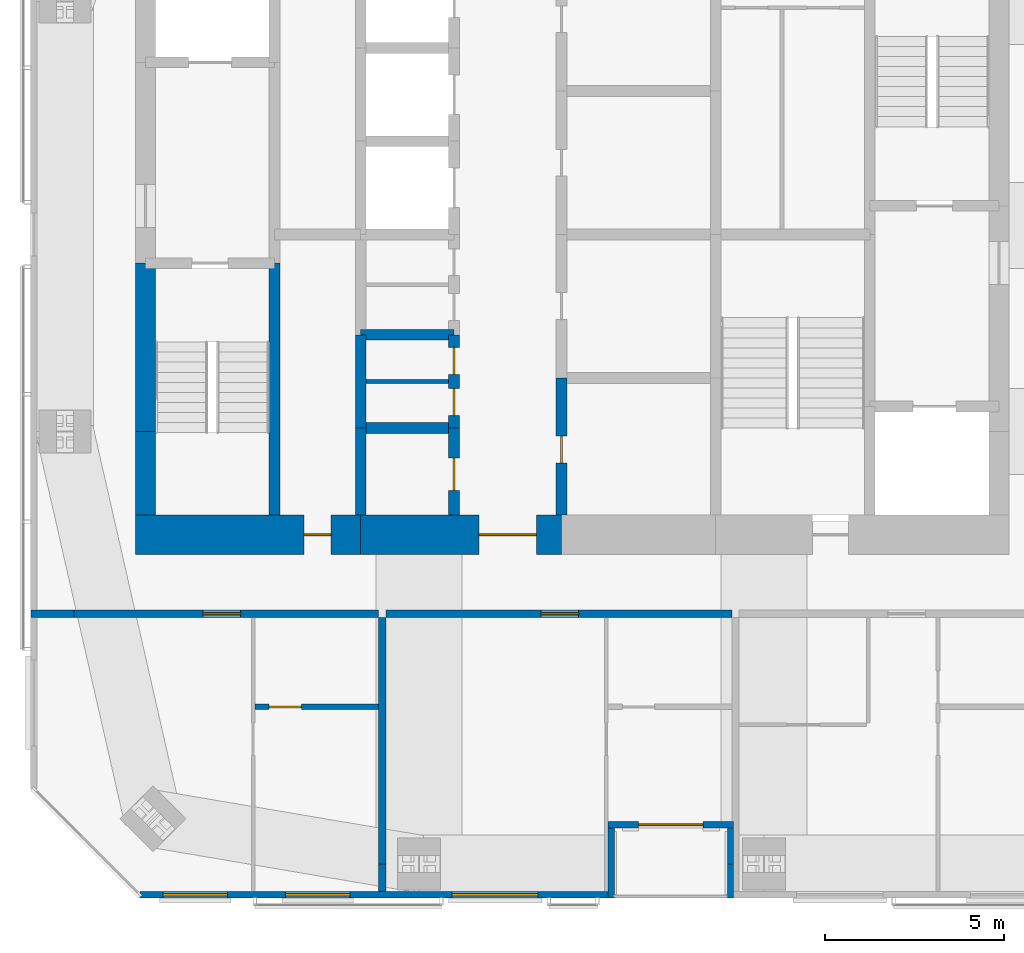
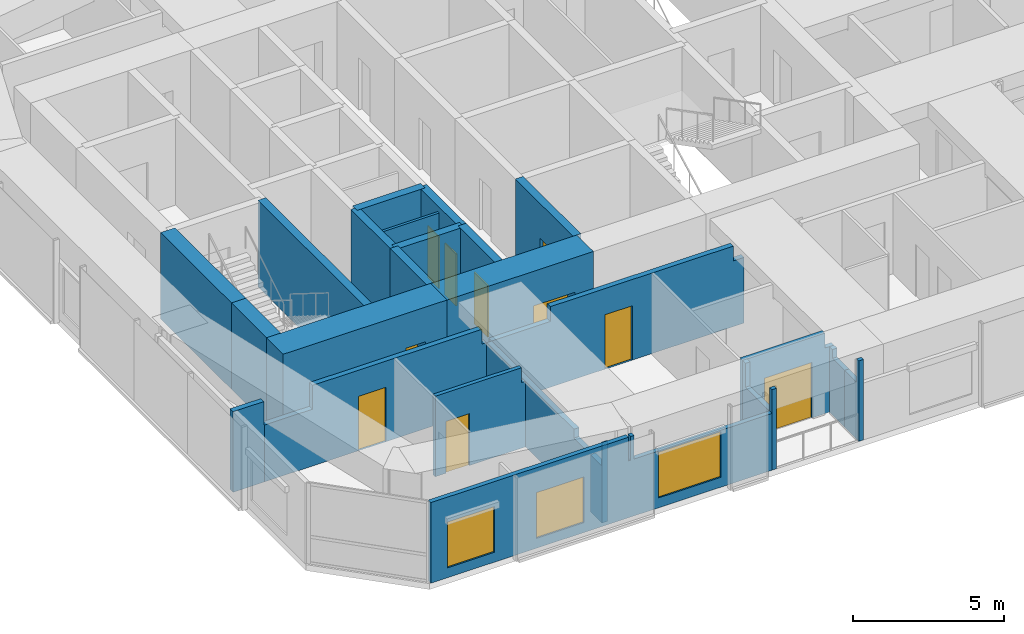
# One storey, part 14 of 20: 24 walls, 10 doors, 3 windows, 13 openings.
"""IFC4 building model written with IfcOpenShell, lengths in metres."""

import ifcopenshell
import ifcopenshell.guid

model = None  # the IFC model being written
_history = None  # IfcOwnerHistory: only IFC2X3 demands one
_inside = {}  # id of a spatial element -> (the spatial element, [elements in it])
_under = {}  # id of a project, library or spatial element -> (it, [spatial elements below it])
_declared = {}  # id of a project -> (the project, [libraries it declares])
_typed = {}  # id of a type object -> (the type object, [elements of that type])
_made_of = {}  # id of a material, layer set ... -> (it, [elements and type objects made of it])


def new_model(schema):
    """Start an empty IFC model of exactly this schema.

    Asked for "IFC4X3", IfcOpenShell would pick the latest addendum, in which some entities
    have other attributes; the version numbers below select the first issue.
    IFC2X3 requires an IfcOwnerHistory on every rooted entity: one is made here for all.
    """
    global model, _history
    if schema == "IFC4X3":
        model = ifcopenshell.file(schema_version=(4, 3, 0, 0))
    else:
        model = ifcopenshell.file(schema=schema)
    _inside.clear()
    _under.clear()
    _declared.clear()
    _typed.clear()
    _made_of.clear()
    _history = None
    if model.schema == "IFC2X3":
        org = make("IfcOrganization", Name="unknown")
        user = make(
            "IfcPersonAndOrganization",
            ThePerson=make("IfcPerson", FamilyName="unknown"),
            TheOrganization=org,
        )
        app = make(
            "IfcApplication",
            ApplicationDeveloper=org,
            Version="unknown",
            ApplicationFullName="unknown",
            ApplicationIdentifier="unknown",
        )
        _history = make(
            "IfcOwnerHistory",
            OwningUser=user,
            OwningApplication=app,
            ChangeAction="ADDED",
            CreationDate=0,
        )
    return model


def make(cls, **values):
    """One entity of the class cls with the attributes given. An attribute that is None is left unset."""
    return model.create_entity(
        cls, **{name: value for name, value in values.items() if value is not None}
    )


def rooted(cls, **values):
    """An entity with a GlobalId (a new one), such as an element, a storey or a relation."""
    return make(cls, GlobalId=ifcopenshell.guid.new(), OwnerHistory=_history, **values)


def si_unit(unit_type, name, prefix=None):
    """IfcSIUnit, for example si_unit("LENGTHUNIT", "METRE", prefix="MILLI")."""
    return make("IfcSIUnit", UnitType=unit_type, Prefix=prefix, Name=name)


def assignment(units):
    """IfcUnitAssignment: the units of a project."""
    return None if units is None else make("IfcUnitAssignment", Units=units)


def point(xyz):
    """IfcCartesianPoint."""
    return None if xyz is None else make("IfcCartesianPoint", Coordinates=xyz)


def direction(xyz):
    """IfcDirection."""
    return None if xyz is None else make("IfcDirection", DirectionRatios=xyz)


def frame(location, z_axis=None, x_axis=None):
    """IfcAxis2Placement3D, a coordinate frame: its origin and axes. An axis left out is left unset."""
    return make(
        "IfcAxis2Placement3D",
        Location=point(location),
        Axis=direction(z_axis),
        RefDirection=direction(x_axis),
    )


def frame_2d(location, x_axis=None):
    """IfcAxis2Placement2D, a coordinate frame in the plane: its origin and x axis."""
    return make(
        "IfcAxis2Placement2D", Location=point(location), RefDirection=direction(x_axis)
    )


def origin():
    """The frame at (0, 0, 0) with its axes left unset."""
    return frame((0.0, 0.0, 0.0))


def place(relative_to, where):
    """IfcLocalPlacement: puts the frame where relative to a parent placement (None: the world)."""
    return make(
        "IfcLocalPlacement", PlacementRelTo=relative_to, RelativePlacement=where
    )


def context(
    kind, dimensions, precision=None, world=None, true_north=None, identifier=None
):
    """IfcGeometricRepresentationContext, for example the 3D "Model" context."""
    return make(
        "IfcGeometricRepresentationContext",
        ContextIdentifier=identifier,
        ContextType=kind,
        CoordinateSpaceDimension=dimensions,
        Precision=precision,
        WorldCoordinateSystem=world,
        TrueNorth=true_north,
    )


def subcontext(parent, identifier, kind, view, scale=None):
    """IfcGeometricRepresentationSubContext, for example "Body" below "Model"."""
    return make(
        "IfcGeometricRepresentationSubContext",
        ContextIdentifier=identifier,
        ContextType=kind,
        ParentContext=parent,
        TargetScale=scale,
        TargetView=view,
    )


def project(units=None, contexts=None):
    """IfcProject with its units and contexts."""
    return rooted(
        "IfcProject",
        Name="project",
        RepresentationContexts=contexts,
        UnitsInContext=assignment(units),
    )


def spatial(cls, under=None, at=None, **own):
    """A site, building, storey or space (cls), placed at a placement, below another one or the project."""
    s = rooted(cls, ObjectPlacement=at, **own)
    if under is not None:
        _under.setdefault(under.id(), (under, []))[1].append(s)
    return s


def polyline(points):
    """IfcPolyline through the points."""
    return make("IfcPolyline", Points=[point(p) for p in points])


def profile(cls, at=None, kind="AREA", **sizes):
    """A parametric profile (cls). Its sizes go by their IFC names, for example OverallWidth=200.0."""
    return make(cls, ProfileType=kind, Position=at, **sizes)


def rectangle(**sizes):
    """IfcRectangleProfileDef."""
    return profile("IfcRectangleProfileDef", **sizes)


def outline(outer, holes=None, kind="AREA"):
    """IfcArbitraryClosedProfileDef: a profile drawn as a closed curve; with holes, ...WithVoids."""
    if holes is None:
        return make("IfcArbitraryClosedProfileDef", ProfileType=kind, OuterCurve=outer)
    return make(
        "IfcArbitraryProfileDefWithVoids",
        ProfileType=kind,
        OuterCurve=outer,
        InnerCurves=holes,
    )


def extrude(swept, where, along, depth):
    """IfcExtrudedAreaSolid: the profile swept, set in the frame where, extruded along a direction by depth."""
    return make(
        "IfcExtrudedAreaSolid",
        SweptArea=swept,
        Position=where,
        ExtrudedDirection=direction(along),
        Depth=depth,
    )


def shape(context_of_items, identifier, shape_type, items):
    """IfcShapeRepresentation: the items that make up one representation, for example the "Body"."""
    return make(
        "IfcShapeRepresentation",
        ContextOfItems=context_of_items,
        RepresentationIdentifier=identifier,
        RepresentationType=shape_type,
        Items=items,
    )


def material(Name=None, Category=None):
    """IfcMaterial."""
    return make("IfcMaterial", Name=Name, Category=Category)


def layer(
    of_material, thickness, ventilated=None, Name=None, Category=None, Priority=None
):
    """IfcMaterialLayer: one layer of a wall or slab, of a material (None: an air gap)."""
    return make(
        "IfcMaterialLayer",
        Material=of_material,
        LayerThickness=thickness,
        IsVentilated=ventilated,
        Name=Name,
        Category=Category,
        Priority=Priority,
    )


def layer_set(layers, Name=None):
    """IfcMaterialLayerSet."""
    return make("IfcMaterialLayerSet", MaterialLayers=layers, LayerSetName=Name)


def constituent(of_material, Name=None, Category=None, fraction=None):
    """IfcMaterialConstituent: one of the materials an element consists of."""
    return make(
        "IfcMaterialConstituent",
        Name=Name,
        Material=of_material,
        Fraction=fraction,
        Category=Category,
    )


def constituent_set(constituents=None, Name=None):
    """IfcMaterialConstituentSet."""
    return make(
        "IfcMaterialConstituentSet", Name=Name, MaterialConstituents=constituents
    )


def made_of(thing, what):
    """Note that an element or type object is made of a material, layer set ...; save() writes the relation."""
    if what is not None:
        _made_of.setdefault(what.id(), (what, []))[1].append(thing)
    return thing


def type_object(cls, material=None, **own):
    """A type object (cls), such as IfcWallType, which elements share."""
    return made_of(rooted(cls, **own), material)


def element(
    cls,
    number,
    at=None,
    inside=None,
    cuts=None,
    type_object=None,
    material=None,
    context=None,
    identifier="Body",
    shape_type=None,
    held_by="IfcProductDefinitionShape",
    body=None,
    shapes=None,
    **own,
):
    """One element of the class cls, such as IfcWall. Its Tag is "e" and its number.

    at: its placement. inside: the storey or other place that contains it. cuts: it is an
    opening in that element (IfcRelVoidsElement). A single representation is given by context,
    identifier, shape_type and body (its items); several are given by shapes. held_by: the class
    of the entity that holds the representations. save() writes the other relations.
    """
    e = rooted(cls, Tag="e%d" % number, ObjectPlacement=at, **own)
    if body is not None:
        shapes = [shape(context, identifier, shape_type, body)]
    if shapes is not None:
        e.Representation = make(held_by, Representations=shapes)
    if inside is not None:
        _inside.setdefault(inside.id(), (inside, []))[1].append(e)
    if cuts is not None:
        rooted(
            "IfcRelVoidsElement", RelatingBuildingElement=cuts, RelatedOpeningElement=e
        )
    if type_object is not None:
        _typed.setdefault(type_object.id(), (type_object, []))[1].append(e)
    return made_of(e, material)


def fill(opening, filler):
    """IfcRelFillsElement: the door or window that sits in an opening."""
    return rooted(
        "IfcRelFillsElement",
        RelatingOpeningElement=opening,
        RelatedBuildingElement=filler,
    )


def aggregate(whole, parts):
    """IfcRelAggregates: a whole, such as a stair, and the parts it consists of."""
    return rooted("IfcRelAggregates", RelatingObject=whole, RelatedObjects=parts)


def save(model, path):
    """Write the relations noted so far, then the file.

    IfcRelAggregates (storeys below a building ...), IfcRelContainedInSpatialStructure (elements
    in a storey), IfcRelDefinesByType, IfcRelAssociatesMaterial and IfcRelDeclares: one each for
    every whole, place, type object, material and project.
    """
    for whole, parts in _under.values():
        aggregate(whole, parts)
    for where, things in _inside.values():
        rooted(
            "IfcRelContainedInSpatialStructure",
            RelatedElements=things,
            RelatingStructure=where,
        )
    for kind, things in _typed.values():
        rooted("IfcRelDefinesByType", RelatedObjects=things, RelatingType=kind)
    for what, things in _made_of.values():
        rooted("IfcRelAssociatesMaterial", RelatedObjects=things, RelatingMaterial=what)
    for by, libraries in _declared.values():
        rooted("IfcRelDeclares", RelatingContext=by, RelatedDefinitions=libraries)
    model.write(path)


model = new_model("IFC4")

# Units and contexts
model_context = context("Model", 3, precision=1e-05, world=origin(), true_north=direction((0.0, 1.0)))
body_context = subcontext(model_context, "Body", "Model", "MODEL_VIEW")
ifc_project = project(units=[si_unit("LENGTHUNIT", "METRE"), si_unit("AREAUNIT", "SQUARE_METRE"), si_unit("VOLUMEUNIT", "CUBIC_METRE"), si_unit("PLANEANGLEUNIT", "RADIAN"), si_unit("MASSUNIT", "GRAM", prefix="KILO")], contexts=[model_context])

# Site, building, storey
site_placement = place(None, origin())
site = spatial("IfcSite", under=ifc_project, at=site_placement, CompositionType="ELEMENT")
building_placement = place(site_placement, origin())
building = spatial("IfcBuilding", under=site, at=building_placement, Name="Jalousie Tower", CompositionType="ELEMENT")
storey_placement = place(building_placement, frame((0.0, 0.0, 238.949951171875)))
storey = spatial("IfcBuildingStorey", under=building, at=storey_placement, Name="L65", CompositionType="ELEMENT", Elevation=238.949951171875)

# Wall, opening, door
ifc_material_1 = material(Name="Concrete block ASTM C90", Category="concrete")
ifc_constituent_1 = constituent(ifc_material_1, Name="Body")
ifc_material_2 = material(Name="Render")
ifc_constituent_2 = constituent(ifc_material_2, Name="Finish")
ifc_constituent_set_1 = constituent_set(constituents=[ifc_constituent_1, ifc_constituent_2])
wall_type_1 = type_object("IfcWallType", Name="BATHROOM WALL 150", PredefinedType="PLUMBINGWALL", material=ifc_constituent_set_1)
wall_1_placement = place(storey_placement, frame((23.050048828125, 5.324951171875, 0.0), z_axis=(0.0, 0.0, 1.0), x_axis=(1.0, 0.0, 0.0)))
wall_1 = element("IfcWall", 1, at=wall_1_placement, inside=storey, type_object=wall_type_1, Name="Bathroom Wall 150 L65", PredefinedType="PLUMBINGWALL", context=body_context, shape_type="SweptSolid", body=[
    extrude(outline(polyline([(0.0, 0.0), (3.449951171875, 0.0), (3.449951171875, 3.260009765625), (3.449951171875, 2.66015625), (3.2900390625, 2.66015625), (3.2900390625, 3.260009765625), (0.0, 3.260009765625), (0.0, 0.0)])), frame((0.0, 0.074951171875, 0.0), z_axis=(0.0, -1.0, 0.0), x_axis=(1.0, 0.0, 0.0)), (0.0, 0.0, 1.0), 0.14990234375),
])
opening_1_placement = place(wall_1_placement, frame((0.39990234375, 0.0, 0.0)))
opening_1 = element("IfcOpeningElement", 2, at=opening_1_placement, cuts=wall_1, Name="Opening D3", PredefinedType="OPENING", context=body_context, shape_type="SweptSolid", body=[
    extrude(rectangle(XDim=0.89990234375, YDim=2.10009765625, at=frame_2d((0.449951171875, 1.050048828125))), frame((0.0, 0.0849609375, 0.0), z_axis=(0.0, -1.0, 0.0), x_axis=(1.0, 0.0, 0.0)), (0.0, 0.0, 1.0), 0.169921875),
])
ifc_material_3 = material(Name="Timber door", Category="wood")
door_type_1 = type_object("IfcDoorType", Name="BATHROOM DOOR 900", OperationType="SINGLE_SWING_LEFT", PredefinedType="DOOR", material=ifc_material_3)
door_1_placement = place(opening_1_placement, origin())
door_1 = element("IfcDoor", 3, at=door_1_placement, inside=storey, type_object=door_type_1, Name="Apartment 6501 bedroom 1 bathroom door", OperationType="SINGLE_SWING_LEFT", OverallHeight=2.10009765625, OverallWidth=0.89990234375, PredefinedType="DOOR", context=body_context, shape_type="SweptSolid", body=[
    extrude(rectangle(XDim=0.89990234375, YDim=2.10009765625, at=frame_2d((0.449951171875, 1.050048828125))), frame((0.0, 0.02490234375, 0.0), z_axis=(0.0, -1.0, 0.0), x_axis=(1.0, 0.0, 0.0)), (0.0, 0.0, 1.0), 0.050048828125),
])
fill(opening_1, door_1)

ifc_material_4 = material(Name="Concrete f'c 120 MPa", Category="concrete")
ifc_layer_1 = layer(ifc_material_4, 1.10009765625)
ifc_layer_set_1 = layer_set([ifc_layer_1], Name="Concrete f'c 120 MPa")
wall_type_2 = type_object("IfcWallType", Name="CORE WALL 1100", PredefinedType="SHEAR", material=ifc_layer_set_1)
wall_2_placement = place(storey_placement, frame((19.72509765625, 10.125, 0.0), z_axis=(0.0, 0.0, 1.0), x_axis=(1.0, 0.0, 0.0)))
wall_2 = element("IfcWall", 4, at=wall_2_placement, inside=storey, type_object=wall_type_2, Name="Core wall SA L65", PredefinedType="SHEAR", context=body_context, shape_type="SweptSolid", body=[
    extrude(rectangle(XDim=6.27490234375, YDim=1.10009765625, at=frame_2d((3.137451171875, 0.0))), origin(), (0.0, 0.0, 1.0), 3.5),
])
opening_2_placement = place(wall_2_placement, frame((4.699951171875, 0.0, 0.0)))
opening_2 = element("IfcOpeningElement", 5, at=opening_2_placement, cuts=wall_2, Name="Opening D16", PredefinedType="OPENING", context=body_context, shape_type="SweptSolid", body=[
    extrude(rectangle(XDim=0.75, YDim=2.10009765625, at=frame_2d((0.375, 1.050048828125))), frame((0.0, 0.56005859375, 0.0), z_axis=(0.0, -1.0, 0.0), x_axis=(1.0, 0.0, 0.0)), (0.0, 0.0, 1.0), 1.1201171875),
])
ifc_material_5 = material(Name="Steel fire door", Category="steel")
door_type_2 = type_object("IfcDoorType", Name="RISER DOOR 750", OperationType="SINGLE_SWING_LEFT", PredefinedType="DOOR", material=ifc_material_5)
door_2_placement = place(opening_2_placement, origin())
door_2 = element("IfcDoor", 6, at=door_2_placement, inside=storey, type_object=door_type_2, Name="South riser door", OperationType="SINGLE_SWING_RIGHT", OverallHeight=2.10009765625, OverallWidth=0.75, PredefinedType="DOOR", context=body_context, shape_type="SweptSolid", body=[
    extrude(rectangle(XDim=0.75, YDim=2.10009765625, at=frame_2d((0.375, 1.050048828125))), frame((0.0, 0.02490234375, 0.0), z_axis=(0.0, -1.0, 0.0), x_axis=(1.0, 0.0, 0.0)), (0.0, 0.0, 1.0), 0.050048828125),
])
fill(opening_2, door_2)

wall_3_placement = place(storey_placement, frame((26.0, 10.125, 0.0), z_axis=(0.0, 0.0, 1.0), x_axis=(1.0, 0.0, 0.0)))
wall_3 = element("IfcWall", 7, at=wall_3_placement, inside=storey, type_object=wall_type_2, Name="Core wall SB L65", PredefinedType="SHEAR", context=body_context, shape_type="SweptSolid", body=[
    extrude(rectangle(XDim=5.60009765625, YDim=1.10009765625, at=frame_2d((2.800048828125, 0.0))), origin(), (0.0, 0.0, 1.0), 3.5),
])
opening_3_placement = place(wall_3_placement, frame((3.300048828125, 0.0, 0.0)))
opening_3 = element("IfcOpeningElement", 8, at=opening_3_placement, cuts=wall_3, Name="Opening D15", PredefinedType="OPENING", context=body_context, shape_type="SweptSolid", body=[
    extrude(rectangle(XDim=1.60009765625, YDim=2.10009765625, at=frame_2d((0.800048828125, 1.050048828125))), frame((0.0, 0.56005859375, 0.0), z_axis=(0.0, -1.0, 0.0), x_axis=(1.0, 0.0, 0.0)), (0.0, 0.0, 1.0), 1.1201171875),
])
ifc_material_6 = material(Name="Steel fire door", Category="steel")
door_type_3 = type_object("IfcDoorType", Name="LIFT LOBBY DOOR 1600", OperationType="DOUBLE_DOOR_SINGLE_SWING", PredefinedType="DOOR", material=ifc_material_6)
door_3_placement = place(opening_3_placement, origin())
door_3 = element("IfcDoor", 9, at=door_3_placement, inside=storey, type_object=door_type_3, Name="Lift lobby south door", OperationType="DOUBLE_DOOR_SINGLE_SWING", OverallHeight=2.10009765625, OverallWidth=1.60009765625, PredefinedType="DOOR", context=body_context, shape_type="SweptSolid", body=[
    extrude(rectangle(XDim=1.60009765625, YDim=2.10009765625, at=frame_2d((0.800048828125, 1.050048828125))), frame((0.0, 0.02490234375, 0.0), z_axis=(0.0, -1.0, 0.0), x_axis=(1.0, 0.0, 0.0)), (0.0, 0.0, 1.0), 0.050048828125),
])
fill(opening_3, door_3)

# Walls
ifc_material_7 = material(Name="Concrete f'c 120 MPa", Category="concrete")
ifc_layer_2 = layer(ifc_material_7, 0.300048828125)
ifc_layer_set_2 = layer_set([ifc_layer_2], Name="Concrete f'c 120 MPa")
wall_type_3 = type_object("IfcWallType", Name="CORE WALL 300", PredefinedType="SHEAR", material=ifc_layer_set_2)
wall_4_placement = place(storey_placement, frame((23.60009765625, 10.675048828125, 0.0), z_axis=(0.0, 0.0, 1.0), x_axis=(0.0, 1.0, 0.0)))
element("IfcWall", 10, at=wall_4_placement, inside=storey, type_object=wall_type_3, Name="Core wall X23.6A L65", PredefinedType="SHEAR", context=body_context, shape_type="SweptSolid", body=[
    extrude(rectangle(XDim=7.02490234375, YDim=0.300048828125, at=frame_2d((3.512451171875, 0.0))), origin(), (0.0, 0.0, 1.0), 3.5),
])
wall_5_placement = place(storey_placement, frame((26.0, 10.675048828125, 0.0), z_axis=(0.0, 0.0, 1.0), x_axis=(0.0, 1.0, 0.0)))
element("IfcWall", 11, at=wall_5_placement, inside=storey, type_object=wall_type_3, Name="Core wall X26A L65", PredefinedType="SHEAR", context=body_context, shape_type="SweptSolid", body=[
    extrude(rectangle(XDim=2.425048828125, YDim=0.300048828125, at=frame_2d((1.21240234375, 0.0))), origin(), (0.0, 0.0, 1.0), 3.5),
])
wall_6_placement = place(storey_placement, frame((26.0, 13.10009765625, 0.0), z_axis=(0.0, 0.0, 1.0), x_axis=(0.0, 1.0, 0.0)))
element("IfcWall", 12, at=wall_6_placement, inside=storey, type_object=wall_type_3, Name="Core wall X26B L65", PredefinedType="SHEAR", context=body_context, shape_type="SweptSolid", body=[
    extrude(rectangle(XDim=2.599853515625, YDim=0.300048828125, at=frame_2d((1.2998046875, 0.0))), origin(), (0.0, 0.0, 1.0), 3.5),
])

# Wall, opening, door
wall_7_placement = place(storey_placement, frame((28.60009765625, 10.675048828125, 0.0), z_axis=(0.0, 0.0, 1.0), x_axis=(0.0, 1.0, 0.0)))
wall_7 = element("IfcWall", 13, at=wall_7_placement, inside=storey, type_object=wall_type_3, Name="Core wall X28.6A L65", PredefinedType="SHEAR", context=body_context, shape_type="SweptSolid", body=[
    extrude(rectangle(XDim=2.425048828125, YDim=0.300048828125, at=frame_2d((1.21240234375, 0.0))), origin(), (0.0, 0.0, 1.0), 3.5),
])
opening_4_placement = place(wall_7_placement, frame((0.6875, 0.0, 0.0)))
opening_4 = element("IfcOpeningElement", 14, at=opening_4_placement, cuts=wall_7, Name="Opening D24", PredefinedType="OPENING", context=body_context, shape_type="SweptSolid", body=[
    extrude(rectangle(XDim=0.89990234375, YDim=2.10009765625, at=frame_2d((0.449951171875, 1.050048828125))), frame((0.0, 0.159912109375, 0.0), z_axis=(0.0, -1.0, 0.0), x_axis=(1.0, 0.0, 0.0)), (0.0, 0.0, 1.0), 0.320068359375),
])
ifc_material_8 = material(Name="Steel fire door", Category="steel")
door_type_4 = type_object("IfcDoorType", Name="CORE ROOM DOOR 900", OperationType="SINGLE_SWING_LEFT", PredefinedType="DOOR", material=ifc_material_8)
door_4_placement = place(opening_4_placement, origin())
door_4 = element("IfcDoor", 15, at=door_4_placement, inside=storey, type_object=door_type_4, Name="Pantry door", OperationType="SINGLE_SWING_RIGHT", OverallHeight=2.10009765625, OverallWidth=0.89990234375, PredefinedType="DOOR", context=body_context, shape_type="SweptSolid", body=[
    extrude(rectangle(XDim=0.89990234375, YDim=2.10009765625, at=frame_2d((0.449951171875, 1.050048828125))), frame((0.0, 0.02490234375, 0.0), z_axis=(0.0, -1.0, 0.0), x_axis=(1.0, 0.0, 0.0)), (0.0, 0.0, 1.0), 0.050048828125),
])
fill(opening_4, door_4)

# Wall, openings, doors
wall_8_placement = place(storey_placement, frame((28.60009765625, 13.10009765625, 0.0), z_axis=(0.0, 0.0, 1.0), x_axis=(0.0, 1.0, 0.0)))
wall_8 = element("IfcWall", 16, at=wall_8_placement, inside=storey, type_object=wall_type_3, Name="Core wall X28.6B L65", PredefinedType="SHEAR", context=body_context, shape_type="SweptSolid", body=[
    extrude(rectangle(XDim=2.599853515625, YDim=0.300048828125, at=frame_2d((1.2998046875, 0.0))), origin(), (0.0, 0.0, 1.0), 3.5),
])
opening_5_placement = place(wall_8_placement, frame((0.35009765625, 0.0, 0.0)))
opening_5 = element("IfcOpeningElement", 17, at=opening_5_placement, cuts=wall_8, Name="Opening D27", PredefinedType="OPENING", context=body_context, shape_type="SweptSolid", body=[
    extrude(rectangle(XDim=0.75, YDim=2.10009765625, at=frame_2d((0.375, 1.050048828125))), frame((0.0, 0.159912109375, 0.0), z_axis=(0.0, -1.0, 0.0), x_axis=(1.0, 0.0, 0.0)), (0.0, 0.0, 1.0), 0.320068359375),
])
opening_6_placement = place(wall_8_placement, frame((1.5, 0.0, 0.0)))
opening_6 = element("IfcOpeningElement", 18, at=opening_6_placement, cuts=wall_8, Name="Opening D27", PredefinedType="OPENING", context=body_context, shape_type="SweptSolid", body=[
    extrude(rectangle(XDim=0.75, YDim=2.10009765625, at=frame_2d((0.375, 1.050048828125))), frame((0.0, 0.159912109375, 0.0), z_axis=(0.0, -1.0, 0.0), x_axis=(1.0, 0.0, 0.0)), (0.0, 0.0, 1.0), 0.320068359375),
])
ifc_material_9 = material(Name="Steel fire door", Category="steel")
door_type_5 = type_object("IfcDoorType", Name="CORE ROOM DOOR 750", OperationType="SINGLE_SWING_LEFT", PredefinedType="DOOR", material=ifc_material_9)
door_5_placement = place(opening_5_placement, origin())
door_5 = element("IfcDoor", 19, at=door_5_placement, inside=storey, type_object=door_type_5, Name="IT room door", OperationType="SINGLE_SWING_RIGHT", OverallHeight=2.10009765625, OverallWidth=0.75, PredefinedType="DOOR", context=body_context, shape_type="SweptSolid", body=[
    extrude(rectangle(XDim=0.75, YDim=2.10009765625, at=frame_2d((0.375, 1.050048828125))), frame((0.0, 0.02490234375, 0.0), z_axis=(0.0, -1.0, 0.0), x_axis=(1.0, 0.0, 0.0)), (0.0, 0.0, 1.0), 0.050048828125),
])
fill(opening_5, door_5)
door_6_placement = place(opening_6_placement, origin())
door_6 = element("IfcDoor", 20, at=door_6_placement, inside=storey, type_object=door_type_5, Name="Store door", OperationType="SINGLE_SWING_LEFT", OverallHeight=2.10009765625, OverallWidth=0.75, PredefinedType="DOOR", context=body_context, shape_type="SweptSolid", body=[
    extrude(rectangle(XDim=0.75, YDim=2.10009765625, at=frame_2d((0.375, 1.050048828125))), frame((0.0, 0.02490234375, 0.0), z_axis=(0.0, -1.0, 0.0), x_axis=(1.0, 0.0, 0.0)), (0.0, 0.0, 1.0), 0.050048828125),
])
fill(opening_6, door_6)

# Wall, opening, door
wall_9_placement = place(storey_placement, frame((31.60009765625, 10.675048828125, 0.0), z_axis=(0.0, 0.0, 1.0), x_axis=(0.0, 1.0, 0.0)))
wall_9 = element("IfcWall", 21, at=wall_9_placement, inside=storey, type_object=wall_type_3, Name="Core wall X31.6A L65", PredefinedType="SHEAR", context=body_context, shape_type="SweptSolid", body=[
    extrude(rectangle(XDim=3.824951171875, YDim=0.300048828125, at=frame_2d((1.91259765625, 0.0))), origin(), (0.0, 0.0, 1.0), 3.5),
])
opening_7_placement = place(wall_9_placement, frame((1.449951171875, 0.0, 0.0)))
opening_7 = element("IfcOpeningElement", 22, at=opening_7_placement, cuts=wall_9, Name="Opening D16", PredefinedType="OPENING", context=body_context, shape_type="SweptSolid", body=[
    extrude(rectangle(XDim=0.75, YDim=2.10009765625, at=frame_2d((0.375, 1.050048828125))), frame((0.0, 0.159912109375, 0.0), z_axis=(0.0, -1.0, 0.0), x_axis=(1.0, 0.0, 0.0)), (0.0, 0.0, 1.0), 0.320068359375),
])
door_7_placement = place(opening_7_placement, frame((0.75, 0.0, 0.0), z_axis=(0.0, 0.0, 1.0), x_axis=(-1.0, 0.0, 0.0)))
door_7 = element("IfcDoor", 23, at=door_7_placement, inside=storey, type_object=door_type_2, Name="Refuse Room door", OperationType="SINGLE_SWING_RIGHT", OverallHeight=2.10009765625, OverallWidth=0.75, PredefinedType="DOOR", context=body_context, shape_type="SweptSolid", body=[
    extrude(rectangle(XDim=0.75, YDim=2.10009765625, at=frame_2d((0.375, 1.050048828125))), frame((0.0, 0.02490234375, 0.0), z_axis=(0.0, -1.0, 0.0), x_axis=(1.0, 0.0, 0.0)), (0.0, 0.0, 1.0), 0.050048828125),
])
fill(opening_7, door_7)

# Walls
for number, where, z_axis, x_axis, name in (
    (24, (26.0, 13.10009765625, 0.0), (0.0, 0.0, 1.0), (1.0, 0.0, 0.0), "Core wall Y26-13.1 L65"),
    (25, (26.0, 15.699951171875, 0.0), (0.0, 0.0, 1.0), (1.0, 0.0, 0.0), "Core wall Y26-15.7 L65"),
):
    element("IfcWall", number, at=place(storey_placement, frame(where, z_axis=z_axis, x_axis=x_axis)), inside=storey, type_object=wall_type_3, Name=name, PredefinedType="SHEAR", context=body_context, shape_type="SweptSolid", body=[
        extrude(rectangle(XDim=2.60009765625, YDim=0.300048828125, at=frame_2d((1.300048828125, 0.0))), origin(), (0.0, 0.0, 1.0), 3.5),
    ])
ifc_material_10 = material(Name="Concrete f'c 120 MPa", Category="concrete")
ifc_layer_3 = layer(ifc_material_10, 0.550048828125)
ifc_layer_set_3 = layer_set([ifc_layer_3], Name="Concrete f'c 120 MPa")
wall_type_4 = type_object("IfcWallType", Name="CORE WALL 550", PredefinedType="SHEAR", material=ifc_layer_set_3)
wall_10_placement = place(storey_placement, frame((20.0, 17.699951171875, 0.0), z_axis=(0.0, 0.0, 1.0), x_axis=(0.0, -1.0, 0.0)))
element("IfcWall", 26, at=wall_10_placement, inside=storey, type_object=wall_type_4, Name="Core wall WC L65", PredefinedType="SHEAR", context=body_context, shape_type="SweptSolid", body=[
    extrude(rectangle(XDim=4.699951171875, YDim=0.550048828125, at=frame_2d((2.35009765625, 0.0))), origin(), (0.0, 0.0, 1.0), 3.5),
])
wall_11_placement = place(storey_placement, frame((20.0, 13.0, 0.0), z_axis=(0.0, 0.0, 1.0), x_axis=(0.0, -1.0, 0.0)))
element("IfcWall", 27, at=wall_11_placement, inside=storey, type_object=wall_type_4, Name="Core wall WD L65", PredefinedType="SHEAR", context=body_context, shape_type="SweptSolid", body=[
    extrude(rectangle(XDim=2.324951171875, YDim=0.550048828125, at=frame_2d((1.16259765625, 0.0))), origin(), (0.0, 0.0, 1.0), 3.5),
])

# Wall, opening, door
ifc_material_11 = material(Name="Concrete block ASTM C90", Category="concrete")
ifc_constituent_3 = constituent(ifc_material_11, Name="Body")
ifc_material_12 = material(Name="Render")
ifc_constituent_4 = constituent(ifc_material_12, Name="Finish")
ifc_constituent_set_2 = constituent_set(constituents=[ifc_constituent_3, ifc_constituent_4])
wall_type_5 = type_object("IfcWallType", Name="CORRIDOR WALL 200", PredefinedType="PARTITIONING", material=ifc_constituent_set_2)
wall_12_placement = place(storey_placement, frame((18.0, 7.925048828125, 0.0), z_axis=(0.0, 0.0, 1.0), x_axis=(1.0, 0.0, 0.0)))
wall_12 = element("IfcWall", 28, at=wall_12_placement, inside=storey, type_object=wall_type_5, Name="Corridor Wall 200 L65", PredefinedType="PARTITIONING", context=body_context, shape_type="SweptSolid", body=[
    extrude(outline(polyline([(0.0, 0.0), (8.5, 0.0), (8.5, 3.260009765625), (8.5, 2.66015625), (8.31494140625, 2.66015625), (8.31494140625, 3.260009765625), (1.838623046875, 3.260009765625), (1.838623046875, 2.300048828125), (0.0, 2.300048828125), (0.0, 3.260009765625), (0.0, 0.0)])), frame((0.0, 0.10009765625, 0.0), z_axis=(0.0, -1.0, 0.0), x_axis=(1.0, 0.0, 0.0)), (0.0, 0.0, 1.0), 0.199951171875),
])
opening_8_placement = place(wall_12_placement, frame((3.60009765625, 0.0, 0.0)))
opening_8 = element("IfcOpeningElement", 29, at=opening_8_placement, cuts=wall_12, Name="Opening D1", PredefinedType="OPENING", context=body_context, shape_type="SweptSolid", body=[
    extrude(rectangle(XDim=1.050048828125, YDim=2.199951171875, at=frame_2d((0.52490234375, 1.10009765625))), frame((0.0, 0.10986328125, 0.0), z_axis=(0.0, -1.0, 0.0), x_axis=(1.0, 0.0, 0.0)), (0.0, 0.0, 1.0), 0.219970703125),
])
ifc_material_13 = material(Name="Timber fire door", Category="wood")
door_type_6 = type_object("IfcDoorType", Name="APARTMENT ENTRANCE DOOR 1050", OperationType="SINGLE_SWING_LEFT", PredefinedType="DOOR", material=ifc_material_13)
door_8_placement = place(opening_8_placement, frame((1.050048828125, 0.0, 0.0), z_axis=(0.0, 0.0, 1.0), x_axis=(-1.0, 0.0, 0.0)))
door_8 = element("IfcDoor", 30, at=door_8_placement, inside=storey, type_object=door_type_6, Name="Apartment 6501 entrance", OperationType="SINGLE_SWING_LEFT", OverallHeight=2.199951171875, OverallWidth=1.050048828125, PredefinedType="DOOR", context=body_context, shape_type="SweptSolid", body=[
    extrude(rectangle(XDim=1.050048828125, YDim=2.199951171875, at=frame_2d((0.52490234375, 1.10009765625))), frame((0.0, 0.02490234375, 0.0), z_axis=(0.0, -1.0, 0.0), x_axis=(1.0, 0.0, 0.0)), (0.0, 0.0, 1.0), 0.050048828125),
])
fill(opening_8, door_8)

wall_13_placement = place(storey_placement, frame((26.699951171875, 7.925048828125, 0.0), z_axis=(0.0, 0.0, 1.0), x_axis=(1.0, 0.0, 0.0)))
wall_13 = element("IfcWall", 31, at=wall_13_placement, inside=storey, type_object=wall_type_5, Name="Corridor Wall 200 L65", PredefinedType="PARTITIONING", context=body_context, shape_type="SweptSolid", body=[
    extrude(outline(polyline([(0.0, 0.0), (9.650146484375, 0.0), (9.64990234375, 3.260009765625), (9.64990234375, 2.66015625), (9.239990234375, 2.66015625), (9.239990234375, 3.260009765625), (2.235107421875, 3.260009765625), (2.235107421875, 2.66015625), (0.0, 2.66015625), (0.0, 3.260009765625), (0.0, 0.0)])), frame((0.0, 0.10009765625, 0.0), z_axis=(0.0, -1.0, 0.0), x_axis=(1.0, 0.0, 0.0)), (0.0, 0.0, 1.0), 0.199951171875),
])
opening_9_placement = place(wall_13_placement, frame((4.324951171875, 0.0, 0.0)))
opening_9 = element("IfcOpeningElement", 32, at=opening_9_placement, cuts=wall_13, Name="Opening D1", PredefinedType="OPENING", context=body_context, shape_type="SweptSolid", body=[
    extrude(rectangle(XDim=1.050048828125, YDim=2.199951171875, at=frame_2d((0.52490234375, 1.10009765625))), frame((0.0, 0.10986328125, 0.0), z_axis=(0.0, -1.0, 0.0), x_axis=(1.0, 0.0, 0.0)), (0.0, 0.0, 1.0), 0.219970703125),
])
door_9_placement = place(opening_9_placement, frame((1.050048828125, 0.0, 0.0), z_axis=(0.0, 0.0, 1.0), x_axis=(-1.0, 0.0, 0.0)))
door_9 = element("IfcDoor", 33, at=door_9_placement, inside=storey, type_object=door_type_6, Name="Apartment 6502 entrance", OperationType="SINGLE_SWING_LEFT", OverallHeight=2.199951171875, OverallWidth=1.050048828125, PredefinedType="DOOR", context=body_context, shape_type="SweptSolid", body=[
    extrude(rectangle(XDim=1.050048828125, YDim=2.199951171875, at=frame_2d((0.52490234375, 1.10009765625))), frame((0.0, 0.02490234375, 0.0), z_axis=(0.0, -1.0, 0.0), x_axis=(1.0, 0.0, 0.0)), (0.0, 0.0, 1.0), 0.050048828125),
])
fill(opening_9, door_9)

# Wall, openings, windows
ifc_material_14 = material(Name="Concrete f'c 40 MPa", Category="concrete")
ifc_constituent_5 = constituent(ifc_material_14, Name="Body")
ifc_material_15 = material(Name="Render, pastel sky blue")
ifc_constituent_6 = constituent(ifc_material_15, Name="Finish")
ifc_constituent_set_3 = constituent_set(constituents=[ifc_constituent_5, ifc_constituent_6])
wall_type_6 = type_object("IfcWallType", Name="EXTERNAL WALL 175 SKY BLUE RENDER", PredefinedType="SOLIDWALL", material=ifc_constituent_set_3)
wall_14_placement = place(storey_placement, frame((19.851318359375, 0.08740234375, 0.0), z_axis=(0.0, 0.0, 1.0), x_axis=(1.0, 0.0, 0.0)))
wall_14 = element("IfcWall", 34, at=wall_14_placement, inside=storey, type_object=wall_type_6, Name="External Wall 175 Sky Blue Render L65", PredefinedType="SOLIDWALL", context=body_context, shape_type="SweptSolid", body=[
    extrude(outline(polyline([(0.0, 0.0), (13.048583984375, 0.0), (13.048583984375, 2.300048828125), (7.773681640625, 2.300048828125), (7.773681640625, 3.260009765625), (7.642333984375, 3.260009765625), (7.642333984375, 2.300048828125), (7.558837890625, 2.300048828125), (7.558837890625, 3.260009765625), (0.0, 3.260009765625), (0.0, 0.0)])), frame((0.0, 0.08740234375, 0.0), z_axis=(0.0, -1.0, 0.0), x_axis=(1.0, 0.0, 0.0)), (0.0, 0.0, 1.0), 0.175048828125),
])
opening_10_placement = place(wall_14_placement, frame((0.636474609375, 0.0, 0.39990234375)))
opening_10 = element("IfcOpeningElement", 35, at=opening_10_placement, cuts=wall_14, Name="Opening W-BED185", PredefinedType="OPENING", context=body_context, shape_type="SweptSolid", body=[
    extrude(rectangle(XDim=1.800048828125, YDim=1.85009765625, at=frame_2d((0.89990234375, 0.925048828125))), frame((0.0, 0.097412109375, 0.0), z_axis=(0.0, -1.0, 0.0), x_axis=(1.0, 0.0, 0.0)), (0.0, 0.0, 1.0), 0.195068359375),
])
opening_11_placement = place(wall_14_placement, frame((4.048583984375, 0.0, 0.39990234375)))
opening_11 = element("IfcOpeningElement", 36, at=opening_11_placement, cuts=wall_14, Name="Opening W-BED185", PredefinedType="OPENING", context=body_context, shape_type="SweptSolid", body=[
    extrude(rectangle(XDim=1.800048828125, YDim=1.85009765625, at=frame_2d((0.89990234375, 0.925048828125))), frame((0.0, 0.097412109375, 0.0), z_axis=(0.0, -1.0, 0.0), x_axis=(1.0, 0.0, 0.0)), (0.0, 0.0, 1.0), 0.195068359375),
])
opening_12_placement = place(wall_14_placement, frame((8.69873046875, 0.0, 0.39990234375)))
opening_12 = element("IfcOpeningElement", 37, at=opening_12_placement, cuts=wall_14, Name="Opening W-LIV185", PredefinedType="OPENING", context=body_context, shape_type="SweptSolid", body=[
    extrude(rectangle(XDim=2.39990234375, YDim=1.85009765625, at=frame_2d((1.199951171875, 0.925048828125))), frame((0.0, 0.097412109375, 0.0), z_axis=(0.0, -1.0, 0.0), x_axis=(1.0, 0.0, 0.0)), (0.0, 0.0, 1.0), 0.195068359375),
])
ifc_material_16 = material(Name="Aluminium frame, impact-rated glazing", Category="aluminium")
window_type_1 = type_object("IfcWindowType", Name="WINDOW BED 1800x1850", PartitioningType="SINGLE_PANEL", PredefinedType="WINDOW", material=ifc_material_16)
window_1_placement = place(opening_10_placement, origin())
window_1 = element("IfcWindow", 38, at=window_1_placement, inside=storey, type_object=window_type_1, Name="Apartment 6501 living, dining and kitchen window", OverallHeight=1.85009765625, OverallWidth=1.800048828125, PartitioningType="SINGLE_PANEL", PredefinedType="WINDOW", context=body_context, shape_type="SweptSolid", body=[
    extrude(rectangle(XDim=1.800048828125, YDim=1.85009765625, at=frame_2d((0.89990234375, 0.925048828125))), frame((0.0, 0.030029296875, 0.0), z_axis=(0.0, -1.0, 0.0), x_axis=(1.0, 0.0, 0.0)), (0.0, 0.0, 1.0), 0.06005859375),
])
fill(opening_10, window_1)
window_2_placement = place(opening_11_placement, origin())
window_2 = element("IfcWindow", 39, at=window_2_placement, inside=storey, type_object=window_type_1, Name="Apartment 6501 bedroom 1 window", OverallHeight=1.85009765625, OverallWidth=1.800048828125, PartitioningType="SINGLE_PANEL", PredefinedType="WINDOW", context=body_context, shape_type="SweptSolid", body=[
    extrude(rectangle(XDim=1.800048828125, YDim=1.85009765625, at=frame_2d((0.89990234375, 0.925048828125))), frame((0.0, 0.030029296875, 0.0), z_axis=(0.0, -1.0, 0.0), x_axis=(1.0, 0.0, 0.0)), (0.0, 0.0, 1.0), 0.06005859375),
])
fill(opening_11, window_2)
ifc_material_17 = material(Name="Aluminium frame, impact-rated glazing", Category="aluminium")
window_type_2 = type_object("IfcWindowType", Name="WINDOW LIV 2400x1850", PartitioningType="DOUBLE_PANEL_VERTICAL", PredefinedType="WINDOW", material=ifc_material_17)
window_3_placement = place(opening_12_placement, origin())
window_3 = element("IfcWindow", 40, at=window_3_placement, inside=storey, type_object=window_type_2, Name="Apartment 6502 living, dining and kitchen window", OverallHeight=1.85009765625, OverallWidth=2.39990234375, PartitioningType="SINGLE_PANEL", PredefinedType="WINDOW", context=body_context, shape_type="SweptSolid", body=[
    extrude(rectangle(XDim=2.39990234375, YDim=1.85009765625, at=frame_2d((1.199951171875, 0.925048828125))), frame((0.0, 0.030029296875, 0.0), z_axis=(0.0, -1.0, 0.0), x_axis=(1.0, 0.0, 0.0)), (0.0, 0.0, 1.0), 0.06005859375),
])
fill(opening_12, window_3)

# Wall, opening, door
wall_15_placement = place(storey_placement, frame((32.89990234375, 2.03759765625, 0.0), z_axis=(0.0, 0.0, 1.0), x_axis=(1.0, 0.0, 0.0)))
wall_15 = element("IfcWall", 41, at=wall_15_placement, inside=storey, type_object=wall_type_6, Name="External Wall 175 Sky Blue Render L65", PredefinedType="SOLIDWALL", context=body_context, shape_type="SweptSolid", body=[
    extrude(outline(polyline([(0.0, 0.0), (3.5, 0.0), (3.5, 2.66015625), (3.14990234375, 2.66015625), (3.14990234375, 3.260009765625), (0.0, 3.260009765625), (0.0, 0.0)])), frame((0.0, 0.08740234375, 0.0), z_axis=(0.0, -1.0, 0.0), x_axis=(1.0, 0.0, 0.0)), (0.0, 0.0, 1.0), 0.175048828125),
])
opening_13_placement = place(wall_15_placement, frame((0.85009765625, 0.0, 0.0)))
opening_13 = element("IfcOpeningElement", 42, at=opening_13_placement, cuts=wall_15, Name="Opening D-BAL22", PredefinedType="OPENING", context=body_context, shape_type="SweptSolid", body=[
    extrude(rectangle(XDim=1.800048828125, YDim=2.25, at=frame_2d((0.89990234375, 1.125))), frame((0.0, 0.097412109375, 0.0), z_axis=(0.0, -1.0, 0.0), x_axis=(1.0, 0.0, 0.0)), (0.0, 0.0, 1.0), 0.195068359375),
])
ifc_material_18 = material(Name="Aluminium frame, impact-rated glazing", Category="aluminium")
door_type_7 = type_object("IfcDoorType", Name="BALCONY DOOR 1800x2250", OperationType="SLIDING_TO_LEFT", PredefinedType="DOOR", material=ifc_material_18)
door_10_placement = place(opening_13_placement, origin())
door_10 = element("IfcDoor", 43, at=door_10_placement, inside=storey, type_object=door_type_7, Name="Apartment 6502 bedroom 1 loggia door", OperationType="SLIDING_TO_LEFT", OverallHeight=2.25, OverallWidth=1.800048828125, PredefinedType="DOOR", context=body_context, shape_type="SweptSolid", body=[
    extrude(rectangle(XDim=1.800048828125, YDim=2.25, at=frame_2d((0.89990234375, 1.125))), frame((0.0, 0.02490234375, 0.0), z_axis=(0.0, -1.0, 0.0), x_axis=(1.0, 0.0, 0.0)), (0.0, 0.0, 1.0), 0.050048828125),
])
fill(opening_13, door_10)

# Walls
wall_16_placement = place(storey_placement, frame((32.987548828125, 0.0, 0.0), z_axis=(0.0, 0.0, 1.0), x_axis=(0.0, 1.0, 0.0)))
element("IfcWall", 44, at=wall_16_placement, inside=storey, type_object=wall_type_6, Name="External Wall 175 Sky Blue Render L65", PredefinedType="SOLIDWALL", context=body_context, shape_type="SweptSolid", body=[
    extrude(outline(polyline([(0.0, 0.0), (1.949951171875, 0.0), (1.949951171875, 3.260009765625), (1.75, 3.260009765625), (1.75, 2.300048828125), (0.14990234375, 2.300048828125), (0.14990234375, 3.260009765625), (0.0, 3.260009765625), (0.0, 0.0)])), frame((0.0, 0.08740234375, 0.0), z_axis=(0.0, -1.0, 0.0), x_axis=(1.0, 0.0, 0.0)), (0.0, 0.0, 1.0), 0.175048828125),
])
wall_17_placement = place(storey_placement, frame((36.3125, 0.0, 0.0), z_axis=(0.0, 0.0, 1.0), x_axis=(0.0, 1.0, 0.0)))
element("IfcWall", 45, at=wall_17_placement, inside=storey, type_object=wall_type_6, Name="External Wall 175 Sky Blue Render L65-A", PredefinedType="SOLIDWALL", context=body_context, shape_type="SweptSolid", body=[
    extrude(outline(polyline([(0.0, 0.0), (0.949951171875, 0.0), (0.949951171875, 2.300048828125), (0.14990234375, 2.300048828125), (0.14990234375, 3.260009765625), (0.0, 3.260009765625), (0.0, 0.0)])), frame((0.0, 0.08740234375, 0.0), z_axis=(0.0, -1.0, 0.0), x_axis=(1.0, 0.0, 0.0)), (0.0, 0.0, 1.0), 0.175048828125),
])
wall_18_placement = place(storey_placement, frame((36.3125, 0.949951171875, 0.0), z_axis=(0.0, 0.0, 1.0), x_axis=(0.0, 1.0, 0.0)))
element("IfcWall", 46, at=wall_18_placement, inside=storey, type_object=wall_type_6, Name="External Wall 175 Sky Blue Render L65-B", PredefinedType="SOLIDWALL", context=body_context, shape_type="SweptSolid", body=[
    extrude(outline(polyline([(0.0, 0.0), (1.0, 0.0), (1.0, 2.66015625), (0.800048828125, 2.66015625), (0.800048828125, 2.300048828125), (0.0, 2.300048828125), (0.0, 0.0)])), frame((0.0, 0.08740234375, 0.0), z_axis=(0.0, -1.0, 0.0), x_axis=(1.0, 0.0, 0.0)), (0.0, 0.0, 1.0), 0.175048828125),
])
ifc_material_19 = material(Name="Gypsum board", Category="gypsum")
ifc_constituent_7 = constituent(ifc_material_19, Name="Body")
ifc_material_20 = material(Name="Light-gauge steel studs ASTM A653 SS Grade 33", Category="steel")
ifc_constituent_8 = constituent(ifc_material_20, Name="Framing")
ifc_constituent_set_4 = constituent_set(constituents=[ifc_constituent_7, ifc_constituent_8])
wall_type_7 = type_object("IfcWallType", Name="PARTITION 100", PredefinedType="PARTITIONING", material=ifc_constituent_set_4)
wall_19_placement = place(storey_placement, frame((26.14990234375, 14.39990234375, 0.0), z_axis=(0.0, 0.0, 1.0), x_axis=(1.0, 0.0, 0.0)))
element("IfcWall", 47, at=wall_19_placement, inside=storey, type_object=wall_type_7, Name="Partition 100 L65", PredefinedType="PARTITIONING", context=body_context, shape_type="SweptSolid", body=[
    extrude(rectangle(XDim=2.300048828125, YDim=0.10009765625, at=frame_2d((1.14990234375, 0.0))), origin(), (0.0, 0.0, 1.0), 3.260009765625),
])
ifc_material_21 = material(Name="Concrete block ASTM C90", Category="concrete")
ifc_constituent_9 = constituent(ifc_material_21, Name="Body")
ifc_material_22 = material(Name="Render")
ifc_constituent_10 = constituent(ifc_material_22, Name="Finish")
ifc_constituent_set_5 = constituent_set(constituents=[ifc_constituent_9, ifc_constituent_10])
wall_type_8 = type_object("IfcWallType", Name="PARTY WALL 200", PredefinedType="PARTITIONING", material=ifc_constituent_set_5)
wall_20_placement = place(storey_placement, frame((26.60009765625, 0.175048828125, 0.0), z_axis=(0.0, 0.0, 1.0), x_axis=(0.0, 1.0, 0.0)))
element("IfcWall", 48, at=wall_20_placement, inside=storey, type_object=wall_type_8, Name="Party Wall 200 L65-A", PredefinedType="PARTITIONING", context=body_context, shape_type="SweptSolid", body=[
    extrude(outline(polyline([(0.0, 0.0), (0.77490234375, 0.0), (0.77490234375, 2.300048828125), (0.025634765625, 2.300048828125), (0.025634765625, 3.260009765625), (0.0, 3.260009765625), (0.0, 0.0)])), frame((0.0, 0.10009765625, 0.0), z_axis=(0.0, -1.0, 0.0), x_axis=(1.0, 0.0, 0.0)), (0.0, 0.0, 1.0), 0.199951171875),
])
wall_21_placement = place(storey_placement, frame((26.60009765625, 0.949951171875, 0.0), z_axis=(0.0, 0.0, 1.0), x_axis=(0.0, 1.0, 0.0)))
element("IfcWall", 49, at=wall_21_placement, inside=storey, type_object=wall_type_8, Name="Party Wall 200 L65-B", PredefinedType="PARTITIONING", context=body_context, shape_type="SweptSolid", body=[
    extrude(outline(polyline([(0.0, 0.0), (6.875, 0.0), (6.875, 2.66015625), (1.0966796875, 2.66015625), (1.0966796875, 2.300048828125), (0.0, 2.300048828125), (0.0, 0.0)])), frame((0.0, 0.10009765625, 0.0), z_axis=(0.0, -1.0, 0.0), x_axis=(1.0, 0.0, 0.0)), (0.0, 0.0, 1.0), 0.199951171875),
])
wall_22_placement = place(storey_placement, frame((16.800048828125, 7.925048828125, 0.0), z_axis=(0.0, 0.0, 1.0), x_axis=(1.0, 0.0, 0.0)))
element("IfcWall", 50, at=wall_22_placement, inside=storey, type_object=wall_type_8, Name="Party Wall 200 L65", PredefinedType="PARTITIONING", context=body_context, shape_type="SweptSolid", body=[
    extrude(outline(polyline([(0.0, 0.0), (1.199951171875, 0.0), (1.199951171875, 3.260009765625), (1.199951171875, 2.300048828125), (1.172119140625, 2.300048828125), (1.172119140625, 3.260009765625), (0.0, 3.260009765625), (0.0, 0.0)])), frame((0.0, 0.10009765625, 0.0), z_axis=(0.0, -1.0, 0.0), x_axis=(1.0, 0.0, 0.0)), (0.0, 0.0, 1.0), 0.199951171875),
])

save(model, "model.ifc")
